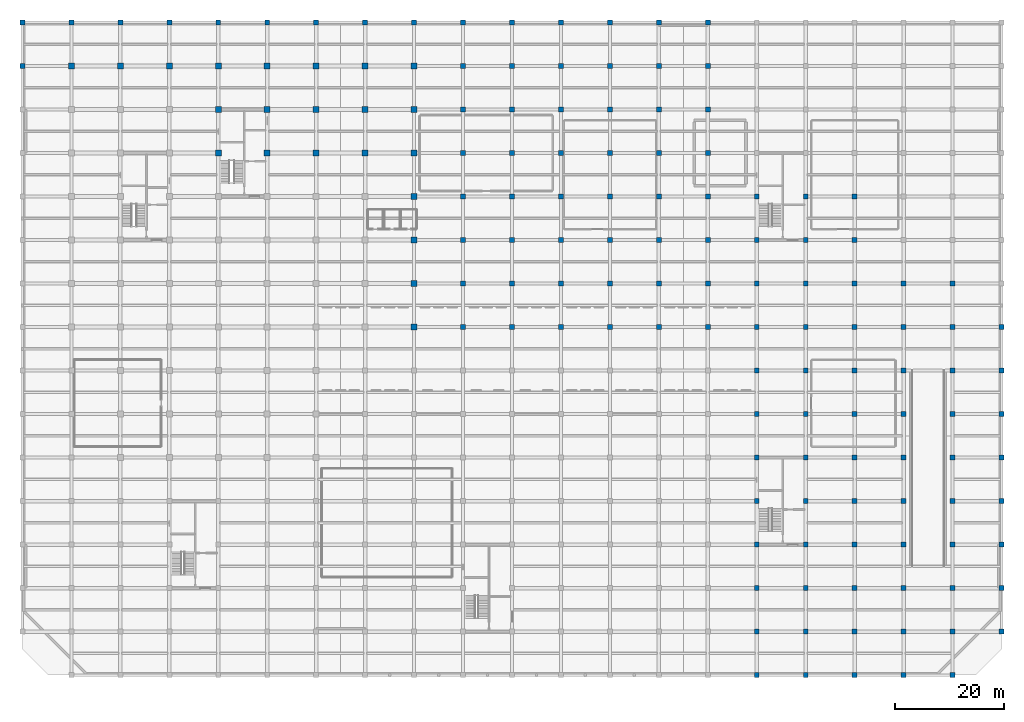
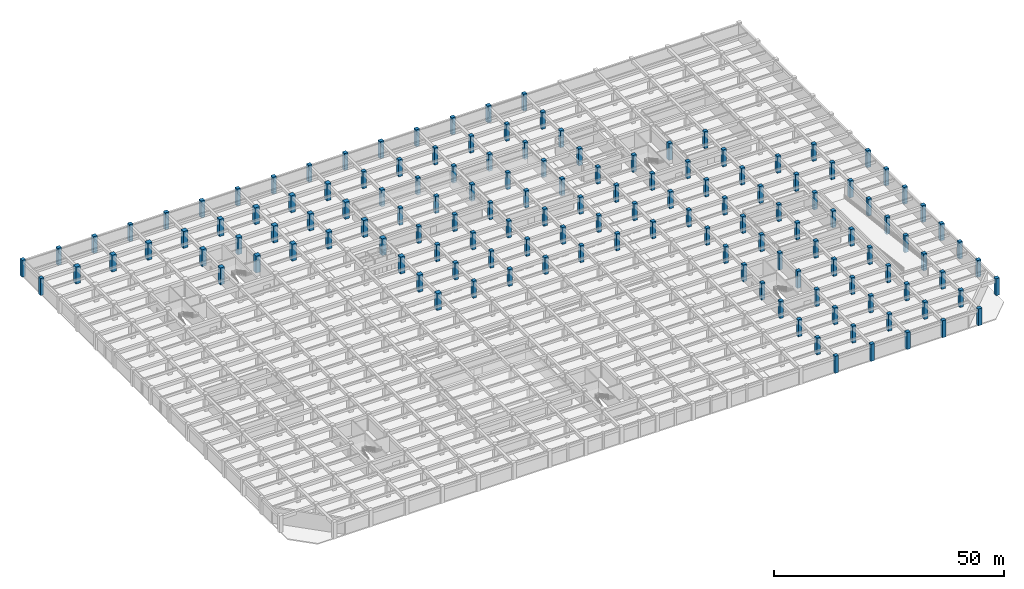
# One storey, part 2 of 26: 144 columns.
"""IFC4 building model written with IfcOpenShell, lengths in metres."""

from ifc_helpers import new_model, si_unit, direction, frame, origin, origin_2d, place, context, subcontext, project, spatial, rectangle, extrude, material, material_profile, profile_set, type_object, element, save


model = new_model("IFC4")

# Units and contexts
model_context = context("Model", 3, precision=1e-05, world=origin(), true_north=direction((0.0, 1.0)))
body_context = subcontext(model_context, "Body", "Model", "MODEL_VIEW")
ifc_project = project(units=[si_unit("LENGTHUNIT", "METRE"), si_unit("AREAUNIT", "SQUARE_METRE"), si_unit("VOLUMEUNIT", "CUBIC_METRE"), si_unit("PLANEANGLEUNIT", "RADIAN"), si_unit("MASSUNIT", "GRAM", prefix="KILO")], contexts=[model_context])

# Site, building, storey
site_placement = place(None, origin())
site = spatial("IfcSite", under=ifc_project, at=site_placement, CompositionType="ELEMENT")
building_placement = place(site_placement, origin())
building = spatial("IfcBuilding", under=site, at=building_placement, Name="Zaverband Oceanarium and Marine Research Institute", CompositionType="ELEMENT")
storey_placement = place(building_placement, frame((0.0, 0.0, -4.5)))
storey = spatial("IfcBuildingStorey", under=building, at=storey_placement, Name="B1", CompositionType="ELEMENT", Elevation=-4.5)

# Columns
ifc_material = material(Name="Concrete C50/60", Category="concrete")
ifc_material_profile_1 = material_profile(ifc_material, rectangle(XDim=1.10009765625, YDim=1.10009765625, at=origin_2d()), Name="RC1100x1100")
ifc_profile_set_1 = profile_set([ifc_material_profile_1], Name="Concrete C50/60")
column_type_1 = type_object("IfcColumnType", Name="COL-C1100", PredefinedType="COLUMN", material=ifc_profile_set_1)
for number, where, z_axis, x_axis, name in (
    (1, (9.0, 112.0, 0.0), (0.0, 0.0, 1.0), (1.0, 0.0, 0.0), "Reinforced concrete column RC1100x1100 COL-C1100"),
    (2, (18.0, 112.0, 0.0), (0.0, 0.0, 1.0), (1.0, 0.0, 0.0), "Reinforced concrete column RC1100x1100 COL-C1100"),
    (3, (27.0, 112.0, 0.0), (0.0, 0.0, 1.0), (1.0, 0.0, 0.0), "Reinforced concrete column RC1100x1100 COL-C1100"),
    (4, (36.0, 96.0, 0.0), (0.0, 0.0, 1.0), (1.0, 0.0, 0.0), "Reinforced concrete column RC1100x1100 COL-C1100"),
    (5, (36.0, 104.0, 0.0), (0.0, 0.0, 1.0), (1.0, 0.0, 0.0), "Reinforced concrete column RC1100x1100 COL-C1100"),
    (6, (36.0, 112.0, 0.0), (0.0, 0.0, 1.0), (1.0, 0.0, 0.0), "Reinforced concrete column RC1100x1100 COL-C1100"),
    (7, (45.0, 96.0, 0.0), (0.0, 0.0, 1.0), (1.0, 0.0, 0.0), "Reinforced concrete column RC1100x1100 COL-C1100"),
    (8, (45.0, 104.0, 0.0), (0.0, 0.0, 1.0), (1.0, 0.0, 0.0), "Reinforced concrete column RC1100x1100 COL-C1100"),
    (9, (45.0, 112.0, 0.0), (0.0, 0.0, 1.0), (1.0, 0.0, 0.0), "Reinforced concrete column RC1100x1100 COL-C1100"),
    (10, (54.0, 96.0, 0.0), (0.0, 0.0, 1.0), (1.0, 0.0, 0.0), "Reinforced concrete column RC1100x1100 COL-C1100"),
    (11, (54.0, 104.0, 0.0), (0.0, 0.0, 1.0), (1.0, 0.0, 0.0), "Reinforced concrete column RC1100x1100 COL-C1100"),
    (12, (54.0, 112.0, 0.0), (0.0, 0.0, 1.0), (1.0, 0.0, 0.0), "Reinforced concrete column RC1100x1100 COL-C1100"),
    (13, (63.0, 96.0, 0.0), (0.0, 0.0, 1.0), (1.0, 0.0, 0.0), "Reinforced concrete column RC1100x1100 COL-C1100"),
    (14, (63.0, 104.0, 0.0), (0.0, 0.0, 1.0), (1.0, 0.0, 0.0), "Reinforced concrete column RC1100x1100 COL-C1100"),
    (15, (63.0, 112.0, 0.0), (0.0, 0.0, 1.0), (1.0, 0.0, 0.0), "Reinforced concrete column RC1100x1100 COL-C1100"),
    (16, (72.0, 64.0, 0.0), (0.0, 0.0, 1.0), (1.0, 0.0, 0.0), "Reinforced concrete column RC1100x1100 COL-C1100"),
    (17, (72.0, 72.0, 0.0), (0.0, 0.0, 1.0), (1.0, 0.0, 0.0), "Reinforced concrete column RC1100x1100 COL-C1100"),
    (18, (72.0, 80.0, 0.0), (0.0, 0.0, 1.0), (1.0, 0.0, 0.0), "Reinforced concrete column RC1100x1100 COL-C1100"),
    (19, (72.0, 88.0, 0.0), (0.0, 0.0, 1.0), (1.0, 0.0, 0.0), "Reinforced concrete column RC1100x1100 COL-C1100"),
    (20, (72.0, 96.0, 0.0), (0.0, 0.0, 1.0), (1.0, 0.0, 0.0), "Reinforced concrete column RC1100x1100 COL-C1100"),
    (21, (72.0, 104.0, 0.0), (0.0, 0.0, 1.0), (1.0, 0.0, 0.0), "Reinforced concrete column RC1100x1100 COL-C1100"),
    (22, (72.0, 112.0, 0.0), (0.0, 0.0, 1.0), (1.0, 0.0, 0.0), "Reinforced concrete column RC1100x1100 COL-C1100"),
):
    element("IfcColumn", number, at=place(storey_placement, frame(where, z_axis=z_axis, x_axis=x_axis)), inside=storey, type_object=column_type_1, Name=name, PredefinedType="COLUMN", context=body_context, shape_type="SweptSolid", body=[
        extrude(rectangle(XDim=1.10009765625, YDim=1.10009765625, at=origin_2d()), origin(), (0.0, 0.0, 1.0), 4.5),
    ])
ifc_material_profile_2 = material_profile(ifc_material, rectangle(XDim=0.89990234375, YDim=0.89990234375, at=origin_2d()), Name="RC900x900")
ifc_profile_set_2 = profile_set([ifc_material_profile_2], Name="Concrete C50/60")
column_type_2 = type_object("IfcColumnType", Name="COL-C900", PredefinedType="COLUMN", material=ifc_profile_set_2)
for number, where, z_axis, x_axis, name in (
    (23, (0.0, 112.0, 0.0), (0.0, 0.0, 1.0), (1.0, 0.0, 0.0), "Reinforced concrete column RC900x900 COL-C900"),
    (24, (0.0, 120.0, 0.0), (0.0, 0.0, 1.0), (1.0, 0.0, 0.0), "Reinforced concrete column RC900x900 COL-C900"),
    (25, (9.0, 120.0, 0.0), (0.0, 0.0, 1.0), (1.0, 0.0, 0.0), "Reinforced concrete column RC900x900 COL-C900"),
    (26, (18.0, 120.0, 0.0), (0.0, 0.0, 1.0), (1.0, 0.0, 0.0), "Reinforced concrete column RC900x900 COL-C900"),
    (27, (27.0, 120.0, 0.0), (0.0, 0.0, 1.0), (1.0, 0.0, 0.0), "Reinforced concrete column RC900x900 COL-C900"),
    (28, (36.0, 120.0, 0.0), (0.0, 0.0, 1.0), (1.0, 0.0, 0.0), "Reinforced concrete column RC900x900 COL-C900"),
    (29, (45.0, 120.0, 0.0), (0.0, 0.0, 1.0), (1.0, 0.0, 0.0), "Reinforced concrete column RC900x900 COL-C900"),
    (30, (54.0, 120.0, 0.0), (0.0, 0.0, 1.0), (1.0, 0.0, 0.0), "Reinforced concrete column RC900x900 COL-C900"),
    (31, (63.0, 120.0, 0.0), (0.0, 0.0, 1.0), (1.0, 0.0, 0.0), "Reinforced concrete column RC900x900 COL-C900"),
    (32, (72.0, 120.0, 0.0), (0.0, 0.0, 1.0), (1.0, 0.0, 0.0), "Reinforced concrete column RC900x900 COL-C900"),
    (33, (81.0, 64.0, 0.0), (0.0, 0.0, 1.0), (1.0, 0.0, 0.0), "Reinforced concrete column RC900x900 COL-C900"),
    (34, (81.0, 72.0, 0.0), (0.0, 0.0, 1.0), (1.0, 0.0, 0.0), "Reinforced concrete column RC900x900 COL-C900"),
    (35, (81.0, 80.0, 0.0), (0.0, 0.0, 1.0), (1.0, 0.0, 0.0), "Reinforced concrete column RC900x900 COL-C900"),
    (36, (81.0, 88.0, 0.0), (0.0, 0.0, 1.0), (1.0, 0.0, 0.0), "Reinforced concrete column RC900x900 COL-C900"),
    (37, (81.0, 96.0, 0.0), (0.0, 0.0, 1.0), (1.0, 0.0, 0.0), "Reinforced concrete column RC900x900 COL-C900"),
    (38, (81.0, 104.0, 0.0), (0.0, 0.0, 1.0), (1.0, 0.0, 0.0), "Reinforced concrete column RC900x900 COL-C900"),
    (39, (81.0, 112.0, 0.0), (0.0, 0.0, 1.0), (1.0, 0.0, 0.0), "Reinforced concrete column RC900x900 COL-C900"),
    (40, (81.0, 120.0, 0.0), (0.0, 0.0, 1.0), (1.0, 0.0, 0.0), "Reinforced concrete column RC900x900 COL-C900"),
    (41, (90.0, 64.0, 0.0), (0.0, 0.0, 1.0), (1.0, 0.0, 0.0), "Reinforced concrete column RC900x900 COL-C900"),
    (42, (90.0, 72.0, 0.0), (0.0, 0.0, 1.0), (1.0, 0.0, 0.0), "Reinforced concrete column RC900x900 COL-C900"),
    (43, (90.0, 80.0, 0.0), (0.0, 0.0, 1.0), (1.0, 0.0, 0.0), "Reinforced concrete column RC900x900 COL-C900"),
    (44, (90.0, 88.0, 0.0), (0.0, 0.0, 1.0), (1.0, 0.0, 0.0), "Reinforced concrete column RC900x900 COL-C900"),
    (45, (90.0, 96.0, 0.0), (0.0, 0.0, 1.0), (1.0, 0.0, 0.0), "Reinforced concrete column RC900x900 COL-C900"),
    (46, (90.0, 104.0, 0.0), (0.0, 0.0, 1.0), (1.0, 0.0, 0.0), "Reinforced concrete column RC900x900 COL-C900"),
    (47, (90.0, 112.0, 0.0), (0.0, 0.0, 1.0), (1.0, 0.0, 0.0), "Reinforced concrete column RC900x900 COL-C900"),
    (48, (90.0, 120.0, 0.0), (0.0, 0.0, 1.0), (1.0, 0.0, 0.0), "Reinforced concrete column RC900x900 COL-C900"),
    (49, (99.0, 64.0, 0.0), (0.0, 0.0, 1.0), (1.0, 0.0, 0.0), "Reinforced concrete column RC900x900 COL-C900"),
    (50, (99.0, 72.0, 0.0), (0.0, 0.0, 1.0), (1.0, 0.0, 0.0), "Reinforced concrete column RC900x900 COL-C900"),
    (51, (99.0, 80.0, 0.0), (0.0, 0.0, 1.0), (1.0, 0.0, 0.0), "Reinforced concrete column RC900x900 COL-C900"),
    (52, (99.0, 88.0, 0.0), (0.0, 0.0, 1.0), (1.0, 0.0, 0.0), "Reinforced concrete column RC900x900 COL-C900"),
    (53, (99.0, 96.0, 0.0), (0.0, 0.0, 1.0), (1.0, 0.0, 0.0), "Reinforced concrete column RC900x900 COL-C900"),
    (54, (99.0, 104.0, 0.0), (0.0, 0.0, 1.0), (1.0, 0.0, 0.0), "Reinforced concrete column RC900x900 COL-C900"),
    (55, (99.0, 112.0, 0.0), (0.0, 0.0, 1.0), (1.0, 0.0, 0.0), "Reinforced concrete column RC900x900 COL-C900"),
    (56, (99.0, 120.0, 0.0), (0.0, 0.0, 1.0), (1.0, 0.0, 0.0), "Reinforced concrete column RC900x900 COL-C900"),
    (57, (108.0, 64.0, 0.0), (0.0, 0.0, 1.0), (1.0, 0.0, 0.0), "Reinforced concrete column RC900x900 COL-C900"),
    (58, (108.0, 72.0, 0.0), (0.0, 0.0, 1.0), (1.0, 0.0, 0.0), "Reinforced concrete column RC900x900 COL-C900"),
    (59, (108.0, 80.0, 0.0), (0.0, 0.0, 1.0), (1.0, 0.0, 0.0), "Reinforced concrete column RC900x900 COL-C900"),
    (60, (108.0, 88.0, 0.0), (0.0, 0.0, 1.0), (1.0, 0.0, 0.0), "Reinforced concrete column RC900x900 COL-C900"),
    (61, (108.0, 96.0, 0.0), (0.0, 0.0, 1.0), (1.0, 0.0, 0.0), "Reinforced concrete column RC900x900 COL-C900"),
    (62, (108.0, 104.0, 0.0), (0.0, 0.0, 1.0), (1.0, 0.0, 0.0), "Reinforced concrete column RC900x900 COL-C900"),
    (63, (108.0, 112.0, 0.0), (0.0, 0.0, 1.0), (1.0, 0.0, 0.0), "Reinforced concrete column RC900x900 COL-C900"),
    (64, (108.0, 120.0, 0.0), (0.0, 0.0, 1.0), (1.0, 0.0, 0.0), "Reinforced concrete column RC900x900 COL-C900"),
    (65, (117.0, 64.0, 0.0), (0.0, 0.0, 1.0), (1.0, 0.0, 0.0), "Reinforced concrete column RC900x900 COL-C900"),
    (66, (117.0, 72.0, 0.0), (0.0, 0.0, 1.0), (1.0, 0.0, 0.0), "Reinforced concrete column RC900x900 COL-C900"),
    (67, (117.0, 80.0, 0.0), (0.0, 0.0, 1.0), (1.0, 0.0, 0.0), "Reinforced concrete column RC900x900 COL-C900"),
    (68, (117.0, 88.0, 0.0), (0.0, 0.0, 1.0), (1.0, 0.0, 0.0), "Reinforced concrete column RC900x900 COL-C900"),
    (69, (117.0, 96.0, 0.0), (0.0, 0.0, 1.0), (1.0, 0.0, 0.0), "Reinforced concrete column RC900x900 COL-C900"),
    (70, (117.0, 104.0, 0.0), (0.0, 0.0, 1.0), (1.0, 0.0, 0.0), "Reinforced concrete column RC900x900 COL-C900"),
    (71, (117.0, 112.0, 0.0), (0.0, 0.0, 1.0), (1.0, 0.0, 0.0), "Reinforced concrete column RC900x900 COL-C900"),
    (72, (117.0, 120.0, 0.0), (0.0, 0.0, 1.0), (1.0, 0.0, 0.0), "Reinforced concrete column RC900x900 COL-C900"),
    (73, (126.0, 64.0, 0.0), (0.0, 0.0, 1.0), (1.0, 0.0, 0.0), "Reinforced concrete column RC900x900 COL-C900"),
    (74, (126.0, 72.0, 0.0), (0.0, 0.0, 1.0), (1.0, 0.0, 0.0), "Reinforced concrete column RC900x900 COL-C900"),
    (75, (126.0, 80.0, 0.0), (0.0, 0.0, 1.0), (1.0, 0.0, 0.0), "Reinforced concrete column RC900x900 COL-C900"),
    (76, (126.0, 88.0, 0.0), (0.0, 0.0, 1.0), (1.0, 0.0, 0.0), "Reinforced concrete column RC900x900 COL-C900"),
    (77, (126.0, 96.0, 0.0), (0.0, 0.0, 1.0), (1.0, 0.0, 0.0), "Reinforced concrete column RC900x900 COL-C900"),
    (78, (126.0, 104.0, 0.0), (0.0, 0.0, 1.0), (1.0, 0.0, 0.0), "Reinforced concrete column RC900x900 COL-C900"),
    (79, (126.0, 112.0, 0.0), (0.0, 0.0, 1.0), (1.0, 0.0, 0.0), "Reinforced concrete column RC900x900 COL-C900"),
    (80, (126.0, 120.0, 0.0), (0.0, 0.0, 1.0), (1.0, 0.0, 0.0), "Reinforced concrete column RC900x900 COL-C900"),
    (81, (135.0, 0.0, 0.0), (0.0, 0.0, 1.0), (1.0, 0.0, 0.0), "Reinforced concrete column RC900x900 COL-C900"),
    (82, (135.0, 8.0, 0.0), (0.0, 0.0, 1.0), (1.0, 0.0, 0.0), "Reinforced concrete column RC900x900 COL-C900"),
    (83, (135.0, 16.0, 0.0), (0.0, 0.0, 1.0), (1.0, 0.0, 0.0), "Reinforced concrete column RC900x900 COL-C900"),
    (84, (135.0, 24.0, 0.0), (0.0, 0.0, 1.0), (1.0, 0.0, 0.0), "Reinforced concrete column RC900x900 COL-C900"),
    (85, (135.0, 32.0, 0.0), (0.0, 0.0, 1.0), (1.0, 0.0, 0.0), "Reinforced concrete column RC900x900 COL-C900"),
    (86, (135.0, 40.0, 0.0), (0.0, 0.0, 1.0), (1.0, 0.0, 0.0), "Reinforced concrete column RC900x900 COL-C900"),
    (87, (135.0, 48.0, 0.0), (0.0, 0.0, 1.0), (1.0, 0.0, 0.0), "Reinforced concrete column RC900x900 COL-C900"),
    (88, (135.0, 56.0, 0.0), (0.0, 0.0, 1.0), (1.0, 0.0, 0.0), "Reinforced concrete column RC900x900 COL-C900"),
    (89, (135.0, 64.0, 0.0), (0.0, 0.0, 1.0), (1.0, 0.0, 0.0), "Reinforced concrete column RC900x900 COL-C900"),
    (90, (135.0, 72.0, 0.0), (0.0, 0.0, 1.0), (1.0, 0.0, 0.0), "Reinforced concrete column RC900x900 COL-C900"),
    (91, (135.0, 80.0, 0.0), (0.0, 0.0, 1.0), (1.0, 0.0, 0.0), "Reinforced concrete column RC900x900 COL-C900"),
    (92, (135.0, 88.0, 0.0), (0.0, 0.0, 1.0), (1.0, 0.0, 0.0), "Reinforced concrete column RC900x900 COL-C900"),
    (93, (144.0, 0.0, 0.0), (0.0, 0.0, 1.0), (1.0, 0.0, 0.0), "Reinforced concrete column RC900x900 COL-C900"),
    (94, (144.0, 8.0, 0.0), (0.0, 0.0, 1.0), (1.0, 0.0, 0.0), "Reinforced concrete column RC900x900 COL-C900"),
    (95, (144.0, 16.0, 0.0), (0.0, 0.0, 1.0), (1.0, 0.0, 0.0), "Reinforced concrete column RC900x900 COL-C900"),
    (96, (144.0, 24.0, 0.0), (0.0, 0.0, 1.0), (1.0, 0.0, 0.0), "Reinforced concrete column RC900x900 COL-C900"),
    (97, (144.0, 32.0, 0.0), (0.0, 0.0, 1.0), (1.0, 0.0, 0.0), "Reinforced concrete column RC900x900 COL-C900"),
    (98, (144.0, 40.0, 0.0), (0.0, 0.0, 1.0), (1.0, 0.0, 0.0), "Reinforced concrete column RC900x900 COL-C900"),
    (99, (144.0, 48.0, 0.0), (0.0, 0.0, 1.0), (1.0, 0.0, 0.0), "Reinforced concrete column RC900x900 COL-C900"),
    (100, (144.0, 56.0, 0.0), (0.0, 0.0, 1.0), (1.0, 0.0, 0.0), "Reinforced concrete column RC900x900 COL-C900"),
    (101, (144.0, 64.0, 0.0), (0.0, 0.0, 1.0), (1.0, 0.0, 0.0), "Reinforced concrete column RC900x900 COL-C900"),
    (102, (144.0, 72.0, 0.0), (0.0, 0.0, 1.0), (1.0, 0.0, 0.0), "Reinforced concrete column RC900x900 COL-C900"),
    (103, (144.0, 80.0, 0.0), (0.0, 0.0, 1.0), (1.0, 0.0, 0.0), "Reinforced concrete column RC900x900 COL-C900"),
    (104, (144.0, 88.0, 0.0), (0.0, 0.0, 1.0), (1.0, 0.0, 0.0), "Reinforced concrete column RC900x900 COL-C900"),
    (105, (153.0, 0.0, 0.0), (0.0, 0.0, 1.0), (1.0, 0.0, 0.0), "Reinforced concrete column RC900x900 COL-C900"),
    (106, (153.0, 8.0, 0.0), (0.0, 0.0, 1.0), (1.0, 0.0, 0.0), "Reinforced concrete column RC900x900 COL-C900"),
    (107, (153.0, 16.0, 0.0), (0.0, 0.0, 1.0), (1.0, 0.0, 0.0), "Reinforced concrete column RC900x900 COL-C900"),
    (108, (153.0, 24.0, 0.0), (0.0, 0.0, 1.0), (1.0, 0.0, 0.0), "Reinforced concrete column RC900x900 COL-C900"),
    (109, (153.0, 32.0, 0.0), (0.0, 0.0, 1.0), (1.0, 0.0, 0.0), "Reinforced concrete column RC900x900 COL-C900"),
    (110, (153.0, 40.0, 0.0), (0.0, 0.0, 1.0), (1.0, 0.0, 0.0), "Reinforced concrete column RC900x900 COL-C900"),
    (111, (153.0, 48.0, 0.0), (0.0, 0.0, 1.0), (1.0, 0.0, 0.0), "Reinforced concrete column RC900x900 COL-C900"),
    (112, (153.0, 56.0, 0.0), (0.0, 0.0, 1.0), (1.0, 0.0, 0.0), "Reinforced concrete column RC900x900 COL-C900"),
    (113, (153.0, 64.0, 0.0), (0.0, 0.0, 1.0), (1.0, 0.0, 0.0), "Reinforced concrete column RC900x900 COL-C900"),
    (114, (153.0, 72.0, 0.0), (0.0, 0.0, 1.0), (1.0, 0.0, 0.0), "Reinforced concrete column RC900x900 COL-C900"),
    (115, (153.0, 80.0, 0.0), (0.0, 0.0, 1.0), (1.0, 0.0, 0.0), "Reinforced concrete column RC900x900 COL-C900"),
    (116, (153.0, 88.0, 0.0), (0.0, 0.0, 1.0), (1.0, 0.0, 0.0), "Reinforced concrete column RC900x900 COL-C900"),
    (117, (162.0, 0.0, 0.0), (0.0, 0.0, 1.0), (1.0, 0.0, 0.0), "Reinforced concrete column RC900x900 COL-C900"),
    (118, (162.0, 8.0, 0.0), (0.0, 0.0, 1.0), (1.0, 0.0, 0.0), "Reinforced concrete column RC900x900 COL-C900"),
    (119, (162.0, 16.0, 0.0), (0.0, 0.0, 1.0), (1.0, 0.0, 0.0), "Reinforced concrete column RC900x900 COL-C900"),
    (120, (162.0, 24.0, 0.0), (0.0, 0.0, 1.0), (1.0, 0.0, 0.0), "Reinforced concrete column RC900x900 COL-C900"),
    (121, (162.0, 32.0, 0.0), (0.0, 0.0, 1.0), (1.0, 0.0, 0.0), "Reinforced concrete column RC900x900 COL-C900"),
    (122, (162.0, 40.0, 0.0), (0.0, 0.0, 1.0), (1.0, 0.0, 0.0), "Reinforced concrete column RC900x900 COL-C900"),
    (123, (162.0, 48.0, 0.0), (0.0, 0.0, 1.0), (1.0, 0.0, 0.0), "Reinforced concrete column RC900x900 COL-C900"),
    (124, (162.0, 56.0, 0.0), (0.0, 0.0, 1.0), (1.0, 0.0, 0.0), "Reinforced concrete column RC900x900 COL-C900"),
    (125, (162.0, 64.0, 0.0), (0.0, 0.0, 1.0), (1.0, 0.0, 0.0), "Reinforced concrete column RC900x900 COL-C900"),
    (126, (162.0, 72.0, 0.0), (0.0, 0.0, 1.0), (1.0, 0.0, 0.0), "Reinforced concrete column RC900x900 COL-C900"),
    (127, (171.0, 0.0, 0.0), (0.0, 0.0, 1.0), (1.0, 0.0, 0.0), "Reinforced concrete column RC900x900 COL-C900"),
    (128, (171.0, 8.0, 0.0), (0.0, 0.0, 1.0), (1.0, 0.0, 0.0), "Reinforced concrete column RC900x900 COL-C900"),
    (129, (171.0, 16.0, 0.0), (0.0, 0.0, 1.0), (1.0, 0.0, 0.0), "Reinforced concrete column RC900x900 COL-C900"),
    (130, (171.0, 24.0, 0.0), (0.0, 0.0, 1.0), (1.0, 0.0, 0.0), "Reinforced concrete column RC900x900 COL-C900"),
    (131, (171.0, 32.0, 0.0), (0.0, 0.0, 1.0), (1.0, 0.0, 0.0), "Reinforced concrete column RC900x900 COL-C900"),
    (132, (171.0, 40.0, 0.0), (0.0, 0.0, 1.0), (1.0, 0.0, 0.0), "Reinforced concrete column RC900x900 COL-C900"),
    (133, (171.0, 48.0, 0.0), (0.0, 0.0, 1.0), (1.0, 0.0, 0.0), "Reinforced concrete column RC900x900 COL-C900"),
    (134, (171.0, 56.0, 0.0), (0.0, 0.0, 1.0), (1.0, 0.0, 0.0), "Reinforced concrete column RC900x900 COL-C900"),
    (135, (171.0, 64.0, 0.0), (0.0, 0.0, 1.0), (1.0, 0.0, 0.0), "Reinforced concrete column RC900x900 COL-C900"),
    (136, (171.0, 72.0, 0.0), (0.0, 0.0, 1.0), (1.0, 0.0, 0.0), "Reinforced concrete column RC900x900 COL-C900"),
    (137, (180.0, 8.0, 0.0), (0.0, 0.0, 1.0), (1.0, 0.0, 0.0), "Reinforced concrete column RC900x900 COL-C900"),
    (138, (180.0, 16.0, 0.0), (0.0, 0.0, 1.0), (1.0, 0.0, 0.0), "Reinforced concrete column RC900x900 COL-C900"),
    (139, (180.0, 24.0, 0.0), (0.0, 0.0, 1.0), (1.0, 0.0, 0.0), "Reinforced concrete column RC900x900 COL-C900"),
    (140, (180.0, 32.0, 0.0), (0.0, 0.0, 1.0), (1.0, 0.0, 0.0), "Reinforced concrete column RC900x900 COL-C900"),
    (141, (180.0, 40.0, 0.0), (0.0, 0.0, 1.0), (1.0, 0.0, 0.0), "Reinforced concrete column RC900x900 COL-C900"),
    (142, (180.0, 48.0, 0.0), (0.0, 0.0, 1.0), (1.0, 0.0, 0.0), "Reinforced concrete column RC900x900 COL-C900"),
    (143, (180.0, 56.0, 0.0), (0.0, 0.0, 1.0), (1.0, 0.0, 0.0), "Reinforced concrete column RC900x900 COL-C900"),
    (144, (180.0, 64.0, 0.0), (0.0, 0.0, 1.0), (1.0, 0.0, 0.0), "Reinforced concrete column RC900x900 COL-C900"),
):
    element("IfcColumn", number, at=place(storey_placement, frame(where, z_axis=z_axis, x_axis=x_axis)), inside=storey, type_object=column_type_2, Name=name, PredefinedType="COLUMN", context=body_context, shape_type="SweptSolid", body=[
        extrude(rectangle(XDim=0.89990234375, YDim=0.89990234375, at=origin_2d()), origin(), (0.0, 0.0, 1.0), 4.5),
    ])

save(model, "model.ifc")
